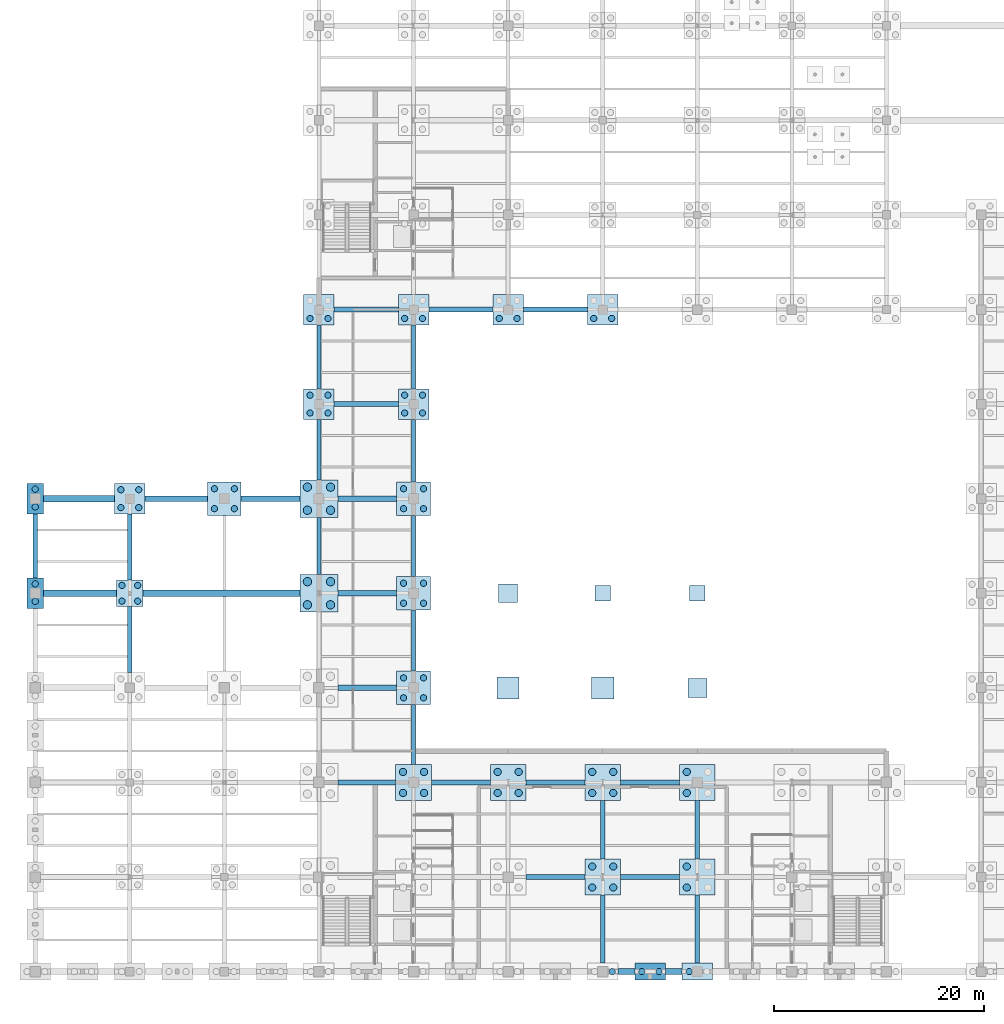
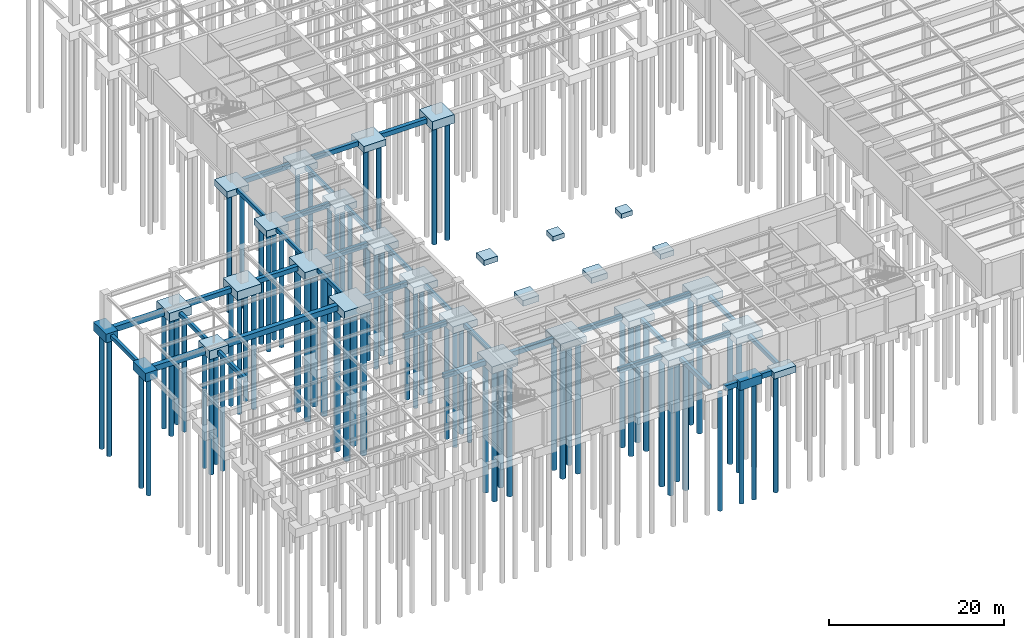
# One storey, part 2 of 49: 76 piles, 65 footings.
"""IFC4 building model written with IfcOpenShell, lengths in metres."""

import ifcopenshell
import ifcopenshell.guid

model = None  # the IFC model being written
_history = None  # IfcOwnerHistory: only IFC2X3 demands one
_inside = {}  # id of a spatial element -> (the spatial element, [elements in it])
_under = {}  # id of a project, library or spatial element -> (it, [spatial elements below it])
_declared = {}  # id of a project -> (the project, [libraries it declares])
_typed = {}  # id of a type object -> (the type object, [elements of that type])
_made_of = {}  # id of a material, layer set ... -> (it, [elements and type objects made of it])


def new_model(schema):
    """Start an empty IFC model of exactly this schema.

    Asked for "IFC4X3", IfcOpenShell would pick the latest addendum, in which some entities
    have other attributes; the version numbers below select the first issue.
    IFC2X3 requires an IfcOwnerHistory on every rooted entity: one is made here for all.
    """
    global model, _history
    if schema == "IFC4X3":
        model = ifcopenshell.file(schema_version=(4, 3, 0, 0))
    else:
        model = ifcopenshell.file(schema=schema)
    _inside.clear()
    _under.clear()
    _declared.clear()
    _typed.clear()
    _made_of.clear()
    _history = None
    if model.schema == "IFC2X3":
        org = make("IfcOrganization", Name="unknown")
        user = make(
            "IfcPersonAndOrganization",
            ThePerson=make("IfcPerson", FamilyName="unknown"),
            TheOrganization=org,
        )
        app = make(
            "IfcApplication",
            ApplicationDeveloper=org,
            Version="unknown",
            ApplicationFullName="unknown",
            ApplicationIdentifier="unknown",
        )
        _history = make(
            "IfcOwnerHistory",
            OwningUser=user,
            OwningApplication=app,
            ChangeAction="ADDED",
            CreationDate=0,
        )
    return model


def make(cls, **values):
    """One entity of the class cls with the attributes given. An attribute that is None is left unset."""
    return model.create_entity(
        cls, **{name: value for name, value in values.items() if value is not None}
    )


def rooted(cls, **values):
    """An entity with a GlobalId (a new one), such as an element, a storey or a relation."""
    return make(cls, GlobalId=ifcopenshell.guid.new(), OwnerHistory=_history, **values)


def si_unit(unit_type, name, prefix=None):
    """IfcSIUnit, for example si_unit("LENGTHUNIT", "METRE", prefix="MILLI")."""
    return make("IfcSIUnit", UnitType=unit_type, Prefix=prefix, Name=name)


def assignment(units):
    """IfcUnitAssignment: the units of a project."""
    return None if units is None else make("IfcUnitAssignment", Units=units)


def point(xyz):
    """IfcCartesianPoint."""
    return None if xyz is None else make("IfcCartesianPoint", Coordinates=xyz)


def direction(xyz):
    """IfcDirection."""
    return None if xyz is None else make("IfcDirection", DirectionRatios=xyz)


def frame(location, z_axis=None, x_axis=None):
    """IfcAxis2Placement3D, a coordinate frame: its origin and axes. An axis left out is left unset."""
    return make(
        "IfcAxis2Placement3D",
        Location=point(location),
        Axis=direction(z_axis),
        RefDirection=direction(x_axis),
    )


def frame_2d(location, x_axis=None):
    """IfcAxis2Placement2D, a coordinate frame in the plane: its origin and x axis."""
    return make(
        "IfcAxis2Placement2D", Location=point(location), RefDirection=direction(x_axis)
    )


def origin():
    """The frame at (0, 0, 0) with its axes left unset."""
    return frame((0.0, 0.0, 0.0))


def origin_2d():
    """The frame at (0, 0) in the plane with its x axis left unset."""
    return frame_2d((0.0, 0.0))


def place(relative_to, where):
    """IfcLocalPlacement: puts the frame where relative to a parent placement (None: the world)."""
    return make(
        "IfcLocalPlacement", PlacementRelTo=relative_to, RelativePlacement=where
    )


def context(
    kind, dimensions, precision=None, world=None, true_north=None, identifier=None
):
    """IfcGeometricRepresentationContext, for example the 3D "Model" context."""
    return make(
        "IfcGeometricRepresentationContext",
        ContextIdentifier=identifier,
        ContextType=kind,
        CoordinateSpaceDimension=dimensions,
        Precision=precision,
        WorldCoordinateSystem=world,
        TrueNorth=true_north,
    )


def subcontext(parent, identifier, kind, view, scale=None):
    """IfcGeometricRepresentationSubContext, for example "Body" below "Model"."""
    return make(
        "IfcGeometricRepresentationSubContext",
        ContextIdentifier=identifier,
        ContextType=kind,
        ParentContext=parent,
        TargetScale=scale,
        TargetView=view,
    )


def project(units=None, contexts=None):
    """IfcProject with its units and contexts."""
    return rooted(
        "IfcProject",
        Name="project",
        RepresentationContexts=contexts,
        UnitsInContext=assignment(units),
    )


def spatial(cls, under=None, at=None, **own):
    """A site, building, storey or space (cls), placed at a placement, below another one or the project."""
    s = rooted(cls, ObjectPlacement=at, **own)
    if under is not None:
        _under.setdefault(under.id(), (under, []))[1].append(s)
    return s


def profile(cls, at=None, kind="AREA", **sizes):
    """A parametric profile (cls). Its sizes go by their IFC names, for example OverallWidth=200.0."""
    return make(cls, ProfileType=kind, Position=at, **sizes)


def rectangle(**sizes):
    """IfcRectangleProfileDef."""
    return profile("IfcRectangleProfileDef", **sizes)


def circle(**sizes):
    """IfcCircleProfileDef."""
    return profile("IfcCircleProfileDef", **sizes)


def extrude(swept, where, along, depth):
    """IfcExtrudedAreaSolid: the profile swept, set in the frame where, extruded along a direction by depth."""
    return make(
        "IfcExtrudedAreaSolid",
        SweptArea=swept,
        Position=where,
        ExtrudedDirection=direction(along),
        Depth=depth,
    )


def shape(context_of_items, identifier, shape_type, items):
    """IfcShapeRepresentation: the items that make up one representation, for example the "Body"."""
    return make(
        "IfcShapeRepresentation",
        ContextOfItems=context_of_items,
        RepresentationIdentifier=identifier,
        RepresentationType=shape_type,
        Items=items,
    )


def material(Name=None, Category=None):
    """IfcMaterial."""
    return make("IfcMaterial", Name=Name, Category=Category)


def material_profile(
    of_material, cross_section, Name=None, Category=None, Priority=None
):
    """IfcMaterialProfile: a cross section and its material."""
    return make(
        "IfcMaterialProfile",
        Name=Name,
        Material=of_material,
        Profile=cross_section,
        Priority=Priority,
        Category=Category,
    )


def profile_set(profiles, Name=None, composite=None):
    """IfcMaterialProfileSet."""
    return make(
        "IfcMaterialProfileSet",
        Name=Name,
        MaterialProfiles=profiles,
        CompositeProfile=composite,
    )


def made_of(thing, what):
    """Note that an element or type object is made of a material, layer set ...; save() writes the relation."""
    if what is not None:
        _made_of.setdefault(what.id(), (what, []))[1].append(thing)
    return thing


def type_object(cls, material=None, **own):
    """A type object (cls), such as IfcWallType, which elements share."""
    return made_of(rooted(cls, **own), material)


def element(
    cls,
    number,
    at=None,
    inside=None,
    cuts=None,
    type_object=None,
    material=None,
    context=None,
    identifier="Body",
    shape_type=None,
    held_by="IfcProductDefinitionShape",
    body=None,
    shapes=None,
    **own,
):
    """One element of the class cls, such as IfcWall. Its Tag is "e" and its number.

    at: its placement. inside: the storey or other place that contains it. cuts: it is an
    opening in that element (IfcRelVoidsElement). A single representation is given by context,
    identifier, shape_type and body (its items); several are given by shapes. held_by: the class
    of the entity that holds the representations. save() writes the other relations.
    """
    e = rooted(cls, Tag="e%d" % number, ObjectPlacement=at, **own)
    if body is not None:
        shapes = [shape(context, identifier, shape_type, body)]
    if shapes is not None:
        e.Representation = make(held_by, Representations=shapes)
    if inside is not None:
        _inside.setdefault(inside.id(), (inside, []))[1].append(e)
    if cuts is not None:
        rooted(
            "IfcRelVoidsElement", RelatingBuildingElement=cuts, RelatedOpeningElement=e
        )
    if type_object is not None:
        _typed.setdefault(type_object.id(), (type_object, []))[1].append(e)
    return made_of(e, material)


def aggregate(whole, parts):
    """IfcRelAggregates: a whole, such as a stair, and the parts it consists of."""
    return rooted("IfcRelAggregates", RelatingObject=whole, RelatedObjects=parts)


def save(model, path):
    """Write the relations noted so far, then the file.

    IfcRelAggregates (storeys below a building ...), IfcRelContainedInSpatialStructure (elements
    in a storey), IfcRelDefinesByType, IfcRelAssociatesMaterial and IfcRelDeclares: one each for
    every whole, place, type object, material and project.
    """
    for whole, parts in _under.values():
        aggregate(whole, parts)
    for where, things in _inside.values():
        rooted(
            "IfcRelContainedInSpatialStructure",
            RelatedElements=things,
            RelatingStructure=where,
        )
    for kind, things in _typed.values():
        rooted("IfcRelDefinesByType", RelatedObjects=things, RelatingType=kind)
    for what, things in _made_of.values():
        rooted("IfcRelAssociatesMaterial", RelatedObjects=things, RelatingMaterial=what)
    for by, libraries in _declared.values():
        rooted("IfcRelDeclares", RelatingContext=by, RelatedDefinitions=libraries)
    model.write(path)


model = new_model("IFC4")

# Units and contexts
model_context = context("Model", 3, precision=1e-05, world=origin(), true_north=direction((0.0, 1.0)))
body_context = subcontext(model_context, "Body", "Model", "MODEL_VIEW")
ifc_project = project(units=[si_unit("LENGTHUNIT", "METRE"), si_unit("AREAUNIT", "SQUARE_METRE"), si_unit("VOLUMEUNIT", "CUBIC_METRE"), si_unit("PLANEANGLEUNIT", "RADIAN"), si_unit("MASSUNIT", "GRAM", prefix="KILO")], contexts=[model_context])

# Site, building, storey
site_placement = place(None, origin())
site = spatial("IfcSite", under=ifc_project, at=site_placement, CompositionType="ELEMENT")
building_placement = place(site_placement, origin())
building = spatial("IfcBuilding", under=site, at=building_placement, Name="Lykobir Media Centre", CompositionType="ELEMENT")
storey_placement = place(building_placement, frame((0.0, 0.0, -4.800048828125)))
storey = spatial("IfcBuildingStorey", under=building, at=storey_placement, Name="B1", CompositionType="ELEMENT", Elevation=-4.800048828125)

# Piles
ifc_material_1 = material(Name="Concrete C30/37", Category="concrete")
ifc_material_profile_1 = material_profile(ifc_material_1, circle(Radius=0.300048828125, at=origin_2d()), Name="BORED PILE D600")
ifc_profile_set_1 = profile_set([ifc_material_profile_1], Name="Concrete C30/37")
pile_type_1 = type_object("IfcPileType", Name="BP-600", PredefinedType="BORED", material=ifc_profile_set_1)
for number, where, z_axis, x_axis, name in (
    (1, (0.0, 35.219970703125, -1.099853515625), (0.0, 0.0, -1.0), (1.0, 0.0, 0.0), "Bored pile PILE-0000-0352-1"),
    (2, (0.0, 36.89990234375, -1.099853515625), (0.0, 0.0, -1.0), (1.0, 0.0, 0.0), "Bored pile PILE-0000-0369-2"),
    (3, (0.0, 44.219970703125, -1.099853515625), (0.0, 0.0, -1.0), (1.0, 0.0, 0.0), "Bored pile PILE-0000-0442-1"),
    (4, (0.0, 45.89990234375, -1.099853515625), (0.0, 0.0, -1.0), (1.0, 0.0, 0.0), "Bored pile PILE-0000-0459-2"),
    (5, (8.25, 35.25, -1.099853515625), (0.0, 0.0, -1.0), (1.0, 0.0, 0.0), "Bored pile PILE-0082-0352-1"),
    (6, (9.75, 35.25, -1.099853515625), (0.0, 0.0, -1.0), (1.0, 0.0, 0.0), "Bored pile PILE-0098-0352-2"),
    (7, (8.25, 36.75, -1.099853515625), (0.0, 0.0, -1.0), (1.0, 0.0, 0.0), "Bored pile PILE-0082-0368-3"),
    (8, (9.75, 36.75, -1.099853515625), (0.0, 0.0, -1.0), (1.0, 0.0, 0.0), "Bored pile PILE-0098-0368-4"),
    (9, (8.14990234375, 44.14990234375, -1.099853515625), (0.0, 0.0, -1.0), (1.0, 0.0, 0.0), "Bored pile PILE-0082-0442-1"),
    (10, (9.85009765625, 44.14990234375, -1.099853515625), (0.0, 0.0, -1.0), (1.0, 0.0, 0.0), "Bored pile PILE-0098-0442-2"),
    (11, (8.14990234375, 45.85009765625, -1.099853515625), (0.0, 0.0, -1.0), (1.0, 0.0, 0.0), "Bored pile PILE-0082-0458-3"),
    (12, (9.85009765625, 45.85009765625, -1.099853515625), (0.0, 0.0, -1.0), (1.0, 0.0, 0.0), "Bored pile PILE-0098-0458-4"),
    (13, (17.050048828125, 44.050048828125, -1.099853515625), (0.0, 0.0, -1.0), (1.0, 0.0, 0.0), "Bored pile PILE-0170-0440-1"),
    (14, (18.949951171875, 44.050048828125, -1.099853515625), (0.0, 0.0, -1.0), (1.0, 0.0, 0.0), "Bored pile PILE-0190-0440-2"),
    (15, (17.050048828125, 45.949951171875, -1.099853515625), (0.0, 0.0, -1.0), (1.0, 0.0, 0.0), "Bored pile PILE-0170-0460-3"),
    (16, (18.949951171875, 45.949951171875, -1.099853515625), (0.0, 0.0, -1.0), (1.0, 0.0, 0.0), "Bored pile PILE-0190-0460-4"),
    (17, (26.14990234375, 53.14990234375, -1.099853515625), (0.0, 0.0, -1.0), (1.0, 0.0, 0.0), "Bored pile PILE-0262-0532-1"),
    (18, (27.85009765625, 53.14990234375, -1.099853515625), (0.0, 0.0, -1.0), (1.0, 0.0, 0.0), "Bored pile PILE-0278-0532-2"),
    (19, (26.14990234375, 54.85009765625, -1.099853515625), (0.0, 0.0, -1.0), (1.0, 0.0, 0.0), "Bored pile PILE-0262-0548-3"),
    (20, (27.85009765625, 54.85009765625, -1.099853515625), (0.0, 0.0, -1.0), (1.0, 0.0, 0.0), "Bored pile PILE-0278-0548-4"),
    (21, (26.14990234375, 62.14990234375, -1.099853515625), (0.0, 0.0, -1.0), (1.0, 0.0, 0.0), "Bored pile PILE-0262-0622-1"),
    (22, (27.85009765625, 62.14990234375, -1.099853515625), (0.0, 0.0, -1.0), (1.0, 0.0, 0.0), "Bored pile PILE-0278-0622-2"),
    (23, (35.050048828125, 26.050048828125, -1.099853515625), (0.0, 0.0, -1.0), (1.0, 0.0, 0.0), "Bored pile PILE-0350-0260-1"),
    (24, (36.949951171875, 26.050048828125, -1.099853515625), (0.0, 0.0, -1.0), (1.0, 0.0, 0.0), "Bored pile PILE-0370-0260-2"),
    (25, (35.050048828125, 27.949951171875, -1.099853515625), (0.0, 0.0, -1.0), (1.0, 0.0, 0.0), "Bored pile PILE-0350-0280-3"),
    (26, (36.949951171875, 27.949951171875, -1.099853515625), (0.0, 0.0, -1.0), (1.0, 0.0, 0.0), "Bored pile PILE-0370-0280-4"),
    (27, (35.050048828125, 35.050048828125, -1.099853515625), (0.0, 0.0, -1.0), (1.0, 0.0, 0.0), "Bored pile PILE-0350-0350-1"),
    (28, (36.949951171875, 35.050048828125, -1.099853515625), (0.0, 0.0, -1.0), (1.0, 0.0, 0.0), "Bored pile PILE-0370-0350-2"),
    (29, (35.050048828125, 36.949951171875, -1.099853515625), (0.0, 0.0, -1.0), (1.0, 0.0, 0.0), "Bored pile PILE-0350-0370-3"),
    (30, (36.949951171875, 36.949951171875, -1.099853515625), (0.0, 0.0, -1.0), (1.0, 0.0, 0.0), "Bored pile PILE-0370-0370-4"),
    (31, (35.050048828125, 44.050048828125, -1.099853515625), (0.0, 0.0, -1.0), (1.0, 0.0, 0.0), "Bored pile PILE-0350-0440-1"),
    (32, (36.949951171875, 44.050048828125, -1.099853515625), (0.0, 0.0, -1.0), (1.0, 0.0, 0.0), "Bored pile PILE-0370-0440-2"),
    (33, (35.050048828125, 45.949951171875, -1.099853515625), (0.0, 0.0, -1.0), (1.0, 0.0, 0.0), "Bored pile PILE-0350-0460-3"),
    (34, (36.949951171875, 45.949951171875, -1.099853515625), (0.0, 0.0, -1.0), (1.0, 0.0, 0.0), "Bored pile PILE-0370-0460-4"),
    (35, (35.14990234375, 53.14990234375, -1.099853515625), (0.0, 0.0, -1.0), (1.0, 0.0, 0.0), "Bored pile PILE-0352-0532-1"),
    (36, (36.85009765625, 53.14990234375, -1.099853515625), (0.0, 0.0, -1.0), (1.0, 0.0, 0.0), "Bored pile PILE-0368-0532-2"),
    (37, (35.14990234375, 54.85009765625, -1.099853515625), (0.0, 0.0, -1.0), (1.0, 0.0, 0.0), "Bored pile PILE-0352-0548-3"),
    (38, (36.85009765625, 54.85009765625, -1.099853515625), (0.0, 0.0, -1.0), (1.0, 0.0, 0.0), "Bored pile PILE-0368-0548-4"),
    (39, (35.14990234375, 62.14990234375, -1.099853515625), (0.0, 0.0, -1.0), (1.0, 0.0, 0.0), "Bored pile PILE-0352-0622-1"),
    (40, (36.85009765625, 62.14990234375, -1.099853515625), (0.0, 0.0, -1.0), (1.0, 0.0, 0.0), "Bored pile PILE-0368-0622-2"),
    (41, (44.14990234375, 62.14990234375, -1.099853515625), (0.0, 0.0, -1.0), (1.0, 0.0, 0.0), "Bored pile PILE-0442-0622-1"),
    (42, (45.85009765625, 62.14990234375, -1.099853515625), (0.0, 0.0, -1.0), (1.0, 0.0, 0.0), "Bored pile PILE-0458-0622-2"),
    (43, (54.89990234375, 0.0, -1.099853515625), (0.0, 0.0, -1.0), (1.0, 0.0, 0.0), "Bored pile PILE-0549-0000-2"),
    (44, (53.14990234375, 62.14990234375, -1.099853515625), (0.0, 0.0, -1.0), (1.0, 0.0, 0.0), "Bored pile PILE-0532-0622-1"),
    (45, (54.85009765625, 62.14990234375, -1.099853515625), (0.0, 0.0, -1.0), (1.0, 0.0, 0.0), "Bored pile PILE-0548-0622-2"),
    (46, (62.219970703125, 0.0, -1.099853515625), (0.0, 0.0, -1.0), (1.0, 0.0, 0.0), "Bored pile PILE-0622-0000-1"),
    (47, (57.719970703125, 0.0, -1.099853515625), (0.0, 0.0, -1.0), (1.0, 0.0, 0.0), "Colonnade bored pile PILE-RVK-0577-0000-1"),
    (48, (59.35009765625, 0.0, -1.099853515625), (0.0, 0.0, -1.0), (1.0, 0.0, 0.0), "Colonnade bored pile PILE-RVK-0594-0000-2"),
):
    element("IfcPile", number, at=place(storey_placement, frame(where, z_axis=z_axis, x_axis=x_axis)), inside=storey, type_object=pile_type_1, Name=name, PredefinedType="BORED", context=body_context, shape_type="SweptSolid", body=[
        extrude(circle(Radius=0.300048828125, at=origin_2d()), origin(), (0.0, 0.0, 1.0), 16.39990234375),
    ])
ifc_material_profile_2 = material_profile(ifc_material_1, circle(Radius=0.35009765625, at=origin_2d()), Name="BORED PILE D700")
ifc_profile_set_2 = profile_set([ifc_material_profile_2], Name="Concrete C30/37")
pile_type_2 = type_object("IfcPileType", Name="BP-700", PredefinedType="BORED", material=ifc_profile_set_2)
for number, where, z_axis, x_axis, name in (
    (49, (35.0, 17.0, -1.099853515625), (0.0, 0.0, -1.0), (1.0, 0.0, 0.0), "Bored pile PILE-0350-0170-1"),
    (50, (37.0, 17.0, -1.099853515625), (0.0, 0.0, -1.0), (1.0, 0.0, 0.0), "Bored pile PILE-0370-0170-2"),
    (51, (35.0, 19.0, -1.099853515625), (0.0, 0.0, -1.0), (1.0, 0.0, 0.0), "Bored pile PILE-0350-0190-3"),
    (52, (37.0, 19.0, -1.099853515625), (0.0, 0.0, -1.0), (1.0, 0.0, 0.0), "Bored pile PILE-0370-0190-4"),
    (53, (44.0, 17.0, -1.099853515625), (0.0, 0.0, -1.0), (1.0, 0.0, 0.0), "Bored pile PILE-0440-0170-1"),
    (54, (46.0, 17.0, -1.099853515625), (0.0, 0.0, -1.0), (1.0, 0.0, 0.0), "Bored pile PILE-0460-0170-2"),
    (55, (44.0, 19.0, -1.099853515625), (0.0, 0.0, -1.0), (1.0, 0.0, 0.0), "Bored pile PILE-0440-0190-3"),
    (56, (46.0, 19.0, -1.099853515625), (0.0, 0.0, -1.0), (1.0, 0.0, 0.0), "Bored pile PILE-0460-0190-4"),
    (57, (53.0, 8.0, -1.099853515625), (0.0, 0.0, -1.0), (1.0, 0.0, 0.0), "Bored pile PILE-0530-0080-1"),
    (58, (55.0, 8.0, -1.099853515625), (0.0, 0.0, -1.0), (1.0, 0.0, 0.0), "Bored pile PILE-0550-0080-2"),
    (59, (53.0, 10.0, -1.099853515625), (0.0, 0.0, -1.0), (1.0, 0.0, 0.0), "Bored pile PILE-0530-0100-3"),
    (60, (55.0, 10.0, -1.099853515625), (0.0, 0.0, -1.0), (1.0, 0.0, 0.0), "Bored pile PILE-0550-0100-4"),
    (61, (53.0, 17.0, -1.099853515625), (0.0, 0.0, -1.0), (1.0, 0.0, 0.0), "Bored pile PILE-0530-0170-1"),
    (62, (55.0, 17.0, -1.099853515625), (0.0, 0.0, -1.0), (1.0, 0.0, 0.0), "Bored pile PILE-0550-0170-2"),
    (63, (53.0, 19.0, -1.099853515625), (0.0, 0.0, -1.0), (1.0, 0.0, 0.0), "Bored pile PILE-0530-0190-3"),
    (64, (55.0, 19.0, -1.099853515625), (0.0, 0.0, -1.0), (1.0, 0.0, 0.0), "Bored pile PILE-0550-0190-4"),
    (65, (62.0, 8.0, -1.099853515625), (0.0, 0.0, -1.0), (1.0, 0.0, 0.0), "Bored pile PILE-0620-0080-1"),
    (66, (62.0, 10.0, -1.099853515625), (0.0, 0.0, -1.0), (1.0, 0.0, 0.0), "Bored pile PILE-0620-0100-3"),
    (67, (62.0, 17.0, -1.099853515625), (0.0, 0.0, -1.0), (1.0, 0.0, 0.0), "Bored pile PILE-0620-0170-1"),
    (68, (62.0, 19.0, -1.099853515625), (0.0, 0.0, -1.0), (1.0, 0.0, 0.0), "Bored pile PILE-0620-0190-3"),
):
    element("IfcPile", number, at=place(storey_placement, frame(where, z_axis=z_axis, x_axis=x_axis)), inside=storey, type_object=pile_type_2, Name=name, PredefinedType="BORED", context=body_context, shape_type="SweptSolid", body=[
        extrude(circle(Radius=0.35009765625, at=origin_2d()), origin(), (0.0, 0.0, 1.0), 18.39990234375),
    ])
ifc_material_profile_3 = material_profile(ifc_material_1, circle(Radius=0.39990234375, at=origin_2d()), Name="BORED PILE D800")
ifc_profile_set_3 = profile_set([ifc_material_profile_3], Name="Concrete C30/37")
pile_type_3 = type_object("IfcPileType", Name="BP-800", PredefinedType="BORED", material=ifc_profile_set_3)
for number, where, z_axis, x_axis, name in (
    (69, (25.89990234375, 34.89990234375, -1.099853515625), (0.0, 0.0, -1.0), (1.0, 0.0, 0.0), "Bored pile PILE-0259-0349-1"),
    (70, (28.10009765625, 34.89990234375, -1.099853515625), (0.0, 0.0, -1.0), (1.0, 0.0, 0.0), "Bored pile PILE-0281-0349-2"),
    (71, (25.89990234375, 37.10009765625, -1.099853515625), (0.0, 0.0, -1.0), (1.0, 0.0, 0.0), "Bored pile PILE-0259-0371-3"),
    (72, (28.10009765625, 37.10009765625, -1.099853515625), (0.0, 0.0, -1.0), (1.0, 0.0, 0.0), "Bored pile PILE-0281-0371-4"),
    (73, (25.89990234375, 43.89990234375, -1.099853515625), (0.0, 0.0, -1.0), (1.0, 0.0, 0.0), "Bored pile PILE-0259-0439-1"),
    (74, (28.10009765625, 43.89990234375, -1.099853515625), (0.0, 0.0, -1.0), (1.0, 0.0, 0.0), "Bored pile PILE-0281-0439-2"),
    (75, (25.89990234375, 46.10009765625, -1.099853515625), (0.0, 0.0, -1.0), (1.0, 0.0, 0.0), "Bored pile PILE-0259-0461-3"),
    (76, (28.10009765625, 46.10009765625, -1.099853515625), (0.0, 0.0, -1.0), (1.0, 0.0, 0.0), "Bored pile PILE-0281-0461-4"),
):
    element("IfcPile", number, at=place(storey_placement, frame(where, z_axis=z_axis, x_axis=x_axis)), inside=storey, type_object=pile_type_3, Name=name, PredefinedType="BORED", context=body_context, shape_type="SweptSolid", body=[
        extrude(circle(Radius=0.39990234375, at=origin_2d()), origin(), (0.0, 0.0, 1.0), 20.39990234375),
    ])

# Footings
ifc_material_2 = material(Name="Concrete C35/45", Category="concrete")
footing_type_1 = type_object("IfcFootingType", Name="GB-1", PredefinedType="FOOTING_BEAM", material=ifc_material_2)
footing_1_placement = place(storey_placement, frame((4.27490234375, 36.0, -1.050048828125), z_axis=(0.0, 0.0, 1.0), x_axis=(1.0, 0.0, 0.0)))
element("IfcFooting", 77, at=footing_1_placement, inside=storey, type_object=footing_type_1, Name="Ground tie beam FTG-GB-X-074", PredefinedType="FOOTING_BEAM", context=body_context, shape_type="SweptSolid", body=[
    extrude(rectangle(XDim=6.949951171875, YDim=0.60009765625, at=origin_2d()), origin(), (0.0, 0.0, 1.0), 0.75),
])
footing_2_placement = place(storey_placement, frame((17.72509765625, 36.0, -1.050048828125), z_axis=(0.0, 0.0, 1.0), x_axis=(1.0, 0.0, 0.0)))
element("IfcFooting", 78, at=footing_2_placement, inside=storey, type_object=footing_type_1, Name="Ground tie beam FTG-GB-X-075", PredefinedType="FOOTING_BEAM", context=body_context, shape_type="SweptSolid", body=[
    extrude(rectangle(XDim=14.949951171875, YDim=0.60009765625, at=origin_2d()), origin(), (0.0, 0.0, 1.0), 0.75),
])
footing_3_placement = place(storey_placement, frame((4.175048828125, 45.0, -1.050048828125), z_axis=(0.0, 0.0, 1.0), x_axis=(1.0, 0.0, 0.0)))
element("IfcFooting", 79, at=footing_3_placement, inside=storey, type_object=footing_type_1, Name="Ground tie beam FTG-GB-X-084", PredefinedType="FOOTING_BEAM", context=body_context, shape_type="SweptSolid", body=[
    extrude(rectangle(XDim=6.75, YDim=0.60009765625, at=origin_2d()), origin(), (0.0, 0.0, 1.0), 0.75),
])
footing_type_2 = type_object("IfcFootingType", Name="GB-2", PredefinedType="FOOTING_BEAM", material=ifc_material_2)
for number, where, z_axis, x_axis, name in (
    (80, (56.25, 0.0, -1.0), (0.0, 0.0, 1.0), (1.0, 0.0, 0.0), "Ground tie beam FTG-GB-X-013"),
    (81, (60.75, 0.0, -1.0), (0.0, 0.0, 1.0), (1.0, 0.0, 0.0), "Ground tie beam FTG-GB-X-014"),
):
    element("IfcFooting", number, at=place(storey_placement, frame(where, z_axis=z_axis, x_axis=x_axis)), inside=storey, type_object=footing_type_2, Name=name, PredefinedType="FOOTING_BEAM", context=body_context, shape_type="SweptSolid", body=[
        extrude(rectangle(XDim=1.60009765625, YDim=0.550048828125, at=origin_2d()), origin(), (0.0, 0.0, 1.0), 0.699951171875),
    ])
footing_type_3 = type_object("IfcFootingType", Name="GB-3", PredefinedType="FOOTING_BEAM", material=ifc_material_2)
for number, where, z_axis, x_axis, name in (
    (82, (49.5, 9.0, -0.949951171875), (0.0, 0.0, 1.0), (1.0, 0.0, 0.0), "Ground tie beam FTG-GB-X-035"),
    (83, (58.5, 9.0, -0.949951171875), (0.0, 0.0, 1.0), (1.0, 0.0, 0.0), "Ground tie beam FTG-GB-X-036"),
):
    element("IfcFooting", number, at=place(storey_placement, frame(where, z_axis=z_axis, x_axis=x_axis)), inside=storey, type_object=footing_type_3, Name=name, PredefinedType="FOOTING_BEAM", context=body_context, shape_type="SweptSolid", body=[
        extrude(rectangle(XDim=5.60009765625, YDim=0.5, at=origin_2d()), origin(), (0.0, 0.0, 1.0), 0.64990234375),
    ])
footing_4_placement = place(storey_placement, frame((31.550048828125, 18.0, -0.949951171875), z_axis=(0.0, 0.0, 1.0), x_axis=(1.0, 0.0, 0.0)))
element("IfcFooting", 84, at=footing_4_placement, inside=storey, type_object=footing_type_3, Name="Ground tie beam FTG-GB-X-049", PredefinedType="FOOTING_BEAM", context=body_context, shape_type="SweptSolid", body=[
    extrude(rectangle(XDim=5.5, YDim=0.5, at=origin_2d()), origin(), (0.0, 0.0, 1.0), 0.64990234375),
])
for number, where, z_axis, x_axis, name in (
    (85, (40.5, 18.0, -0.949951171875), (0.0, 0.0, 1.0), (1.0, 0.0, 0.0), "Ground tie beam FTG-GB-X-050"),
    (86, (49.5, 18.0, -0.949951171875), (0.0, 0.0, 1.0), (1.0, 0.0, 0.0), "Ground tie beam FTG-GB-X-051"),
    (87, (58.5, 18.0, -0.949951171875), (0.0, 0.0, 1.0), (1.0, 0.0, 0.0), "Ground tie beam FTG-GB-X-052"),
    (88, (31.60009765625, 27.0, -0.949951171875), (0.0, 0.0, 1.0), (1.0, 0.0, 0.0), "Ground tie beam FTG-GB-X-066"),
    (89, (31.60009765625, 36.0, -0.949951171875), (0.0, 0.0, 1.0), (1.0, 0.0, 0.0), "Ground tie beam FTG-GB-X-076"),
):
    element("IfcFooting", number, at=place(storey_placement, frame(where, z_axis=z_axis, x_axis=x_axis)), inside=storey, type_object=footing_type_3, Name=name, PredefinedType="FOOTING_BEAM", context=body_context, shape_type="SweptSolid", body=[
        extrude(rectangle(XDim=5.60009765625, YDim=0.5, at=origin_2d()), origin(), (0.0, 0.0, 1.0), 0.64990234375),
    ])
footing_5_placement = place(storey_placement, frame((13.425048828125, 45.0, -0.949951171875), z_axis=(0.0, 0.0, 1.0), x_axis=(1.0, 0.0, 0.0)))
element("IfcFooting", 90, at=footing_5_placement, inside=storey, type_object=footing_type_3, Name="Ground tie beam FTG-GB-X-085", PredefinedType="FOOTING_BEAM", context=body_context, shape_type="SweptSolid", body=[
    extrude(rectangle(XDim=5.949951171875, YDim=0.5, at=origin_2d()), origin(), (0.0, 0.0, 1.0), 0.64990234375),
])
for number, where, z_axis, x_axis, name in (
    (91, (22.39990234375, 45.0, -0.949951171875), (0.0, 0.0, 1.0), (1.0, 0.0, 0.0), "Ground tie beam FTG-GB-X-086"),
    (92, (31.60009765625, 45.0, -0.949951171875), (0.0, 0.0, 1.0), (1.0, 0.0, 0.0), "Ground tie beam FTG-GB-X-087"),
):
    element("IfcFooting", number, at=place(storey_placement, frame(where, z_axis=z_axis, x_axis=x_axis)), inside=storey, type_object=footing_type_3, Name=name, PredefinedType="FOOTING_BEAM", context=body_context, shape_type="SweptSolid", body=[
        extrude(rectangle(XDim=5.60009765625, YDim=0.5, at=origin_2d()), origin(), (0.0, 0.0, 1.0), 0.64990234375),
    ])
for number, where, z_axis, x_axis, name in (
    (93, (31.5, 54.0, -0.949951171875), (0.0, 0.0, 1.0), (1.0, 0.0, 0.0), "Ground tie beam FTG-GB-X-095"),
    (94, (31.5, 63.0, -0.949951171875), (0.0, 0.0, 1.0), (1.0, 0.0, 0.0), "Ground tie beam FTG-GB-X-103"),
    (95, (40.5, 63.0, -0.949951171875), (0.0, 0.0, 1.0), (1.0, 0.0, 0.0), "Ground tie beam FTG-GB-X-104"),
    (96, (49.5, 63.0, -0.949951171875), (0.0, 0.0, 1.0), (1.0, 0.0, 0.0), "Ground tie beam FTG-GB-X-105"),
):
    element("IfcFooting", number, at=place(storey_placement, frame(where, z_axis=z_axis, x_axis=x_axis)), inside=storey, type_object=footing_type_3, Name=name, PredefinedType="FOOTING_BEAM", context=body_context, shape_type="SweptSolid", body=[
        extrude(rectangle(XDim=6.10009765625, YDim=0.5, at=origin_2d()), origin(), (0.0, 0.0, 1.0), 0.64990234375),
    ])
footing_type_4 = type_object("IfcFootingType", Name="GB-5", PredefinedType="FOOTING_BEAM", material=ifc_material_2)
footing_6_placement = place(storey_placement, frame((0.0, 40.5, -0.85009765625), z_axis=(0.0, 0.0, 1.0), x_axis=(0.0, 1.0, 0.0)))
element("IfcFooting", 97, at=footing_6_placement, inside=storey, type_object=footing_type_4, Name="Ground tie beam FTG-GB-Y-196", PredefinedType="FOOTING_BEAM", context=body_context, shape_type="SweptSolid", body=[
    extrude(rectangle(XDim=6.10009765625, YDim=0.39990234375, at=origin_2d()), origin(), (0.0, 0.0, 1.0), 0.550048828125),
])
for number, where, z_axis, x_axis, name in (
    (98, (9.0, 31.60009765625, -0.85009765625), (0.0, 0.0, 1.0), (0.0, 1.0, 0.0), "Ground tie beam FTG-GB-Y-200"),
    (99, (9.0, 40.39990234375, -0.85009765625), (0.0, 0.0, 1.0), (0.0, 1.0, 0.0), "Ground tie beam FTG-GB-Y-201"),
):
    element("IfcFooting", number, at=place(storey_placement, frame(where, z_axis=z_axis, x_axis=x_axis)), inside=storey, type_object=footing_type_4, Name=name, PredefinedType="FOOTING_BEAM", context=body_context, shape_type="SweptSolid", body=[
        extrude(rectangle(XDim=6.300048828125, YDim=0.39990234375, at=origin_2d()), origin(), (0.0, 0.0, 1.0), 0.550048828125),
    ])
footing_7_placement = place(storey_placement, frame((27.0, 40.5, -0.85009765625), z_axis=(0.0, 0.0, 1.0), x_axis=(0.0, 1.0, 0.0)))
element("IfcFooting", 100, at=footing_7_placement, inside=storey, type_object=footing_type_4, Name="Ground tie beam FTG-GB-Y-209", PredefinedType="FOOTING_BEAM", context=body_context, shape_type="SweptSolid", body=[
    extrude(rectangle(XDim=5.39990234375, YDim=0.39990234375, at=origin_2d()), origin(), (0.0, 0.0, 1.0), 0.550048828125),
])
footing_8_placement = place(storey_placement, frame((27.0, 49.675048828125, -0.85009765625), z_axis=(0.0, 0.0, 1.0), x_axis=(0.0, 1.0, 0.0)))
element("IfcFooting", 101, at=footing_8_placement, inside=storey, type_object=footing_type_4, Name="Ground tie beam FTG-GB-Y-210", PredefinedType="FOOTING_BEAM", context=body_context, shape_type="SweptSolid", body=[
    extrude(rectangle(XDim=5.75, YDim=0.39990234375, at=origin_2d()), origin(), (0.0, 0.0, 1.0), 0.550048828125),
])
footing_9_placement = place(storey_placement, frame((27.0, 58.5, -0.85009765625), z_axis=(0.0, 0.0, 1.0), x_axis=(0.0, 1.0, 0.0)))
element("IfcFooting", 102, at=footing_9_placement, inside=storey, type_object=footing_type_4, Name="Ground tie beam FTG-GB-Y-211", PredefinedType="FOOTING_BEAM", context=body_context, shape_type="SweptSolid", body=[
    extrude(rectangle(XDim=6.10009765625, YDim=0.39990234375, at=origin_2d()), origin(), (0.0, 0.0, 1.0), 0.550048828125),
])
footing_10_placement = place(storey_placement, frame((36.0, 22.550048828125, -0.85009765625), z_axis=(0.0, 0.0, 1.0), x_axis=(0.0, 1.0, 0.0)))
element("IfcFooting", 103, at=footing_10_placement, inside=storey, type_object=footing_type_4, Name="Ground tie beam FTG-GB-Y-219", PredefinedType="FOOTING_BEAM", context=body_context, shape_type="SweptSolid", body=[
    extrude(rectangle(XDim=5.699951171875, YDim=0.39990234375, at=origin_2d()), origin(), (0.0, 0.0, 1.0), 0.550048828125),
])
for number, where, z_axis, x_axis, name in (
    (104, (36.0, 31.5, -0.85009765625), (0.0, 0.0, 1.0), (0.0, 1.0, 0.0), "Ground tie beam FTG-GB-Y-220"),
    (105, (36.0, 40.5, -0.85009765625), (0.0, 0.0, 1.0), (0.0, 1.0, 0.0), "Ground tie beam FTG-GB-Y-221"),
):
    element("IfcFooting", number, at=place(storey_placement, frame(where, z_axis=z_axis, x_axis=x_axis)), inside=storey, type_object=footing_type_4, Name=name, PredefinedType="FOOTING_BEAM", context=body_context, shape_type="SweptSolid", body=[
        extrude(rectangle(XDim=5.800048828125, YDim=0.39990234375, at=origin_2d()), origin(), (0.0, 0.0, 1.0), 0.550048828125),
    ])
footing_11_placement = place(storey_placement, frame((36.0, 49.574951171875, -0.85009765625), z_axis=(0.0, 0.0, 1.0), x_axis=(0.0, 1.0, 0.0)))
element("IfcFooting", 106, at=footing_11_placement, inside=storey, type_object=footing_type_4, Name="Ground tie beam FTG-GB-Y-222", PredefinedType="FOOTING_BEAM", context=body_context, shape_type="SweptSolid", body=[
    extrude(rectangle(XDim=5.949951171875, YDim=0.39990234375, at=origin_2d()), origin(), (0.0, 0.0, 1.0), 0.550048828125),
])
footing_12_placement = place(storey_placement, frame((36.0, 58.5, -0.85009765625), z_axis=(0.0, 0.0, 1.0), x_axis=(0.0, 1.0, 0.0)))
element("IfcFooting", 107, at=footing_12_placement, inside=storey, type_object=footing_type_4, Name="Ground tie beam FTG-GB-Y-223", PredefinedType="FOOTING_BEAM", context=body_context, shape_type="SweptSolid", body=[
    extrude(rectangle(XDim=6.10009765625, YDim=0.39990234375, at=origin_2d()), origin(), (0.0, 0.0, 1.0), 0.550048828125),
])
footing_13_placement = place(storey_placement, frame((54.0, 4.050048828125, -0.85009765625), z_axis=(0.0, 0.0, 1.0), x_axis=(0.0, 1.0, 0.0)))
element("IfcFooting", 108, at=footing_13_placement, inside=storey, type_object=footing_type_4, Name="Ground tie beam FTG-GB-Y-238", PredefinedType="FOOTING_BEAM", context=body_context, shape_type="SweptSolid", body=[
    extrude(rectangle(XDim=6.5, YDim=0.39990234375, at=origin_2d()), origin(), (0.0, 0.0, 1.0), 0.550048828125),
])
footing_14_placement = place(storey_placement, frame((54.0, 13.5, -0.85009765625), z_axis=(0.0, 0.0, 1.0), x_axis=(0.0, 1.0, 0.0)))
element("IfcFooting", 109, at=footing_14_placement, inside=storey, type_object=footing_type_4, Name="Ground tie beam FTG-GB-Y-239", PredefinedType="FOOTING_BEAM", context=body_context, shape_type="SweptSolid", body=[
    extrude(rectangle(XDim=5.60009765625, YDim=0.39990234375, at=origin_2d()), origin(), (0.0, 0.0, 1.0), 0.550048828125),
])
footing_15_placement = place(storey_placement, frame((63.0, 4.050048828125, -0.85009765625), z_axis=(0.0, 0.0, 1.0), x_axis=(0.0, 1.0, 0.0)))
element("IfcFooting", 110, at=footing_15_placement, inside=storey, type_object=footing_type_4, Name="Ground tie beam FTG-GB-Y-246", PredefinedType="FOOTING_BEAM", context=body_context, shape_type="SweptSolid", body=[
    extrude(rectangle(XDim=6.5, YDim=0.39990234375, at=origin_2d()), origin(), (0.0, 0.0, 1.0), 0.550048828125),
])
footing_16_placement = place(storey_placement, frame((63.0, 13.5, -0.85009765625), z_axis=(0.0, 0.0, 1.0), x_axis=(0.0, 1.0, 0.0)))
element("IfcFooting", 111, at=footing_16_placement, inside=storey, type_object=footing_type_4, Name="Ground tie beam FTG-GB-Y-247", PredefinedType="FOOTING_BEAM", context=body_context, shape_type="SweptSolid", body=[
    extrude(rectangle(XDim=5.60009765625, YDim=0.39990234375, at=origin_2d()), origin(), (0.0, 0.0, 1.0), 0.550048828125),
])
footing_type_5 = type_object("IfcFootingType", Name="PC-1", PredefinedType="PILE_CAP", material=ifc_material_2)
for number, where, z_axis, x_axis, name in (
    (112, (27.0, 36.0, -1.39990234375), (0.0, 0.0, 1.0), (1.0, 0.0, 0.0), "Pile cap FTG-PC-0270-0360"),
    (113, (27.0, 45.0, -1.39990234375), (0.0, 0.0, 1.0), (1.0, 0.0, 0.0), "Pile cap FTG-PC-0270-0450"),
):
    element("IfcFooting", number, at=place(storey_placement, frame(where, z_axis=z_axis, x_axis=x_axis)), inside=storey, type_object=footing_type_5, Name=name, PredefinedType="PILE_CAP", context=body_context, shape_type="SweptSolid", body=[
        extrude(rectangle(XDim=3.60009765625, YDim=3.60009765625, at=origin_2d()), origin(), (0.0, 0.0, 1.0), 1.10009765625),
    ])
footing_type_6 = type_object("IfcFootingType", Name="PC-2", PredefinedType="PILE_CAP", material=ifc_material_2)
for number, where, z_axis, x_axis, name in (
    (114, (36.0, 18.0, -1.300048828125), (0.0, 0.0, 1.0), (1.0, 0.0, 0.0), "Pile cap FTG-PC-0360-0180"),
    (115, (45.0, 18.0, -1.300048828125), (0.0, 0.0, 1.0), (1.0, 0.0, 0.0), "Pile cap FTG-PC-0450-0180"),
    (116, (54.0, 9.0, -1.300048828125), (0.0, 0.0, 1.0), (1.0, 0.0, 0.0), "Pile cap FTG-PC-0540-0090"),
    (117, (54.0, 18.0, -1.300048828125), (0.0, 0.0, 1.0), (1.0, 0.0, 0.0), "Pile cap FTG-PC-0540-0180"),
    (118, (63.0, 9.0, -1.300048828125), (0.0, 0.0, 1.0), (1.0, 0.0, 0.0), "Pile cap FTG-PC-0630-0090"),
    (119, (63.0, 18.0, -1.300048828125), (0.0, 0.0, 1.0), (1.0, 0.0, 0.0), "Pile cap FTG-PC-0630-0180"),
):
    element("IfcFooting", number, at=place(storey_placement, frame(where, z_axis=z_axis, x_axis=x_axis)), inside=storey, type_object=footing_type_6, Name=name, PredefinedType="PILE_CAP", context=body_context, shape_type="SweptSolid", body=[
        extrude(rectangle(XDim=3.39990234375, YDim=3.39990234375, at=origin_2d()), origin(), (0.0, 0.0, 1.0), 1.0),
    ])
footing_type_7 = type_object("IfcFootingType", Name="PC-3", PredefinedType="PILE_CAP", material=ifc_material_2)
footing_17_placement = place(storey_placement, frame((18.0, 45.0, -1.19970703125), z_axis=(0.0, 0.0, 1.0), x_axis=(1.0, 0.0, 0.0)))
element("IfcFooting", 120, at=footing_17_placement, inside=storey, type_object=footing_type_7, Name="Pile cap FTG-PC-0180-0450", PredefinedType="PILE_CAP", context=body_context, shape_type="SweptSolid", body=[
    extrude(rectangle(XDim=3.199951171875, YDim=3.199951171875, at=origin_2d()), origin(), (0.0, 0.0, 1.0), 1.199951171875),
])
for number, where, z_axis, x_axis, name in (
    (121, (36.0, 27.0, -1.25), (0.0, 0.0, 1.0), (1.0, 0.0, 0.0), "Pile cap FTG-PC-0360-0270"),
    (122, (36.0, 36.0, -1.25), (0.0, 0.0, 1.0), (1.0, 0.0, 0.0), "Pile cap FTG-PC-0360-0360"),
    (123, (36.0, 45.0, -1.25), (0.0, 0.0, 1.0), (1.0, 0.0, 0.0), "Pile cap FTG-PC-0360-0450"),
):
    element("IfcFooting", number, at=place(storey_placement, frame(where, z_axis=z_axis, x_axis=x_axis)), inside=storey, type_object=footing_type_7, Name=name, PredefinedType="PILE_CAP", context=body_context, shape_type="SweptSolid", body=[
        extrude(rectangle(XDim=3.199951171875, YDim=3.199951171875, at=origin_2d()), origin(), (0.0, 0.0, 1.0), 0.949951171875),
    ])
footing_type_8 = type_object("IfcFootingType", Name="PC-4", PredefinedType="PILE_CAP", material=ifc_material_2)
footing_18_placement = place(storey_placement, frame((9.0, 45.0, -1.19970703125), z_axis=(0.0, 0.0, 1.0), x_axis=(1.0, 0.0, 0.0)))
element("IfcFooting", 124, at=footing_18_placement, inside=storey, type_object=footing_type_8, Name="Pile cap FTG-PC-0090-0450", PredefinedType="PILE_CAP", context=body_context, shape_type="SweptSolid", body=[
    extrude(rectangle(XDim=2.89990234375, YDim=2.89990234375, at=origin_2d()), origin(), (0.0, 0.0, 1.0), 1.199951171875),
])
for number, where, z_axis, x_axis, name in (
    (125, (27.0, 54.0, -1.199951171875), (0.0, 0.0, 1.0), (1.0, 0.0, 0.0), "Pile cap FTG-PC-0270-0540"),
    (126, (27.0, 63.0, -1.199951171875), (0.0, 0.0, 1.0), (1.0, 0.0, 0.0), "Pile cap FTG-PC-0270-0630"),
    (127, (36.0, 54.0, -1.199951171875), (0.0, 0.0, 1.0), (1.0, 0.0, 0.0), "Pile cap FTG-PC-0360-0540"),
    (128, (36.0, 63.0, -1.199951171875), (0.0, 0.0, 1.0), (1.0, 0.0, 0.0), "Pile cap FTG-PC-0360-0630"),
    (129, (45.0, 63.0, -1.199951171875), (0.0, 0.0, 1.0), (1.0, 0.0, 0.0), "Pile cap FTG-PC-0450-0630"),
):
    element("IfcFooting", number, at=place(storey_placement, frame(where, z_axis=z_axis, x_axis=x_axis)), inside=storey, type_object=footing_type_8, Name=name, PredefinedType="PILE_CAP", context=body_context, shape_type="SweptSolid", body=[
        extrude(rectangle(XDim=2.89990234375, YDim=2.89990234375, at=origin_2d()), origin(), (0.0, 0.0, 1.0), 0.89990234375),
    ])
footing_19_placement = place(storey_placement, frame((54.0, 63.0, -1.19970703125), z_axis=(0.0, 0.0, 1.0), x_axis=(1.0, 0.0, 0.0)))
element("IfcFooting", 130, at=footing_19_placement, inside=storey, type_object=footing_type_8, Name="Pile cap FTG-PC-0540-0630", PredefinedType="PILE_CAP", context=body_context, shape_type="SweptSolid", body=[
    extrude(rectangle(XDim=2.89990234375, YDim=2.89990234375, at=origin_2d()), origin(), (0.0, 0.0, 1.0), 1.199951171875),
])
footing_type_9 = type_object("IfcFootingType", Name="PC-6", PredefinedType="PILE_CAP", material=ifc_material_2)
footing_20_placement = place(storey_placement, frame((9.0, 36.0, -1.19970703125), z_axis=(0.0, 0.0, 1.0), x_axis=(1.0, 0.0, 0.0)))
element("IfcFooting", 131, at=footing_20_placement, inside=storey, type_object=footing_type_9, Name="Pile cap FTG-PC-0090-0360", PredefinedType="PILE_CAP", context=body_context, shape_type="SweptSolid", body=[
    extrude(rectangle(XDim=2.5, YDim=2.5, at=origin_2d()), origin(), (0.0, 0.0, 1.0), 1.199951171875),
])
footing_type_10 = type_object("IfcFootingType", Name="PC-7", PredefinedType="PILE_CAP", material=ifc_material_2)
footing_21_placement = place(storey_placement, frame((63.0, 0.0, -1.199951171875), z_axis=(0.0, 0.0, 1.0), x_axis=(1.0, 0.0, 0.0)))
element("IfcFooting", 132, at=footing_21_placement, inside=storey, type_object=footing_type_10, Name="Pile cap FTG-PC-0630-0000", PredefinedType="PILE_CAP", context=body_context, shape_type="SweptSolid", body=[
    extrude(rectangle(XDim=2.89990234375, YDim=1.60009765625, at=origin_2d()), origin(), (0.0, 0.0, 1.0), 0.89990234375),
])
footing_22_placement = place(storey_placement, frame((58.5, 0.0, -1.19970703125), z_axis=(0.0, 0.0, 1.0), x_axis=(1.0, 0.0, 0.0)))
element("IfcFooting", 133, at=footing_22_placement, inside=storey, type_object=footing_type_10, Name="Colonnade pile cap FTG-RVK-0585-0000", PredefinedType="PILE_CAP", context=body_context, shape_type="SweptSolid", body=[
    extrude(rectangle(XDim=2.89990234375, YDim=1.60009765625, at=origin_2d()), origin(), (0.0, 0.0, 1.0), 1.199951171875),
])
footing_type_11 = type_object("IfcFootingType", Name="PC-8", PredefinedType="PILE_CAP", material=ifc_material_2)
for number, where, z_axis, x_axis, name in (
    (134, (0.0, 36.0, -1.19970703125), (0.0, 0.0, 1.0), (1.0, 0.0, 0.0), "Pile cap FTG-PC-0000-0360"),
    (135, (0.0, 45.0, -1.19970703125), (0.0, 0.0, 1.0), (1.0, 0.0, 0.0), "Pile cap FTG-PC-0000-0450"),
):
    element("IfcFooting", number, at=place(storey_placement, frame(where, z_axis=z_axis, x_axis=x_axis)), inside=storey, type_object=footing_type_11, Name=name, PredefinedType="PILE_CAP", context=body_context, shape_type="SweptSolid", body=[
        extrude(rectangle(XDim=1.60009765625, YDim=2.89990234375, at=origin_2d()), origin(), (0.0, 0.0, 1.0), 1.199951171875),
    ])
footing_type_12 = type_object("IfcFootingType", Name="PF-1", PredefinedType="PAD_FOOTING", material=ifc_material_2)
for number, where, z_axis, x_axis, name in (
    (136, (45.0, 27.0, -1.10009765625), (0.0, 0.0, 1.0), (1.0, 0.0, 0.0), "Pad footing 1"),
    (137, (54.0, 27.0, -1.10009765625), (0.0, 0.0, 1.0), (1.0, 0.0, 0.0), "Pad footing 2"),
):
    element("IfcFooting", number, at=place(storey_placement, frame(where, z_axis=z_axis, x_axis=x_axis)), inside=storey, type_object=footing_type_12, Name=name, PredefinedType="PAD_FOOTING", context=body_context, shape_type="SweptSolid", body=[
        extrude(rectangle(XDim=2.10009765625, YDim=2.10009765625, at=origin_2d()), origin(), (0.0, 0.0, 1.0), 0.800048828125),
    ])
footing_type_13 = type_object("IfcFootingType", Name="PF-2", PredefinedType="PAD_FOOTING", material=ifc_material_2)
for number, where, z_axis, x_axis, name in (
    (138, (63.0, 27.0, -1.050048828125), (0.0, 0.0, 1.0), (1.0, 0.0, 0.0), "Pad footing 3"),
    (139, (45.0, 36.0, -1.050048828125), (0.0, 0.0, 1.0), (1.0, 0.0, 0.0), "Pad footing 4"),
):
    element("IfcFooting", number, at=place(storey_placement, frame(where, z_axis=z_axis, x_axis=x_axis)), inside=storey, type_object=footing_type_13, Name=name, PredefinedType="PAD_FOOTING", context=body_context, shape_type="SweptSolid", body=[
        extrude(rectangle(XDim=1.800048828125, YDim=1.800048828125, at=origin_2d()), origin(), (0.0, 0.0, 1.0), 0.75),
    ])
footing_type_14 = type_object("IfcFootingType", Name="PF-3", PredefinedType="PAD_FOOTING", material=ifc_material_2)
for number, where, z_axis, x_axis, name in (
    (140, (54.0, 36.0, -0.949951171875), (0.0, 0.0, 1.0), (1.0, 0.0, 0.0), "Pad footing 5"),
    (141, (63.0, 36.0, -0.949951171875), (0.0, 0.0, 1.0), (1.0, 0.0, 0.0), "Pad footing 6"),
):
    element("IfcFooting", number, at=place(storey_placement, frame(where, z_axis=z_axis, x_axis=x_axis)), inside=storey, type_object=footing_type_14, Name=name, PredefinedType="PAD_FOOTING", context=body_context, shape_type="SweptSolid", body=[
        extrude(rectangle(XDim=1.5, YDim=1.5, at=origin_2d()), origin(), (0.0, 0.0, 1.0), 0.64990234375),
    ])

save(model, "model.ifc")
